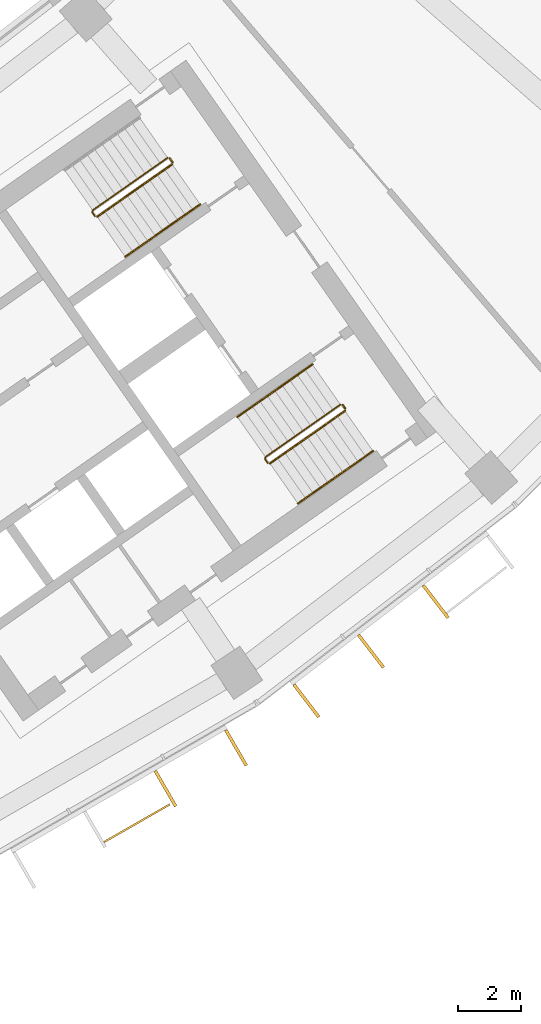
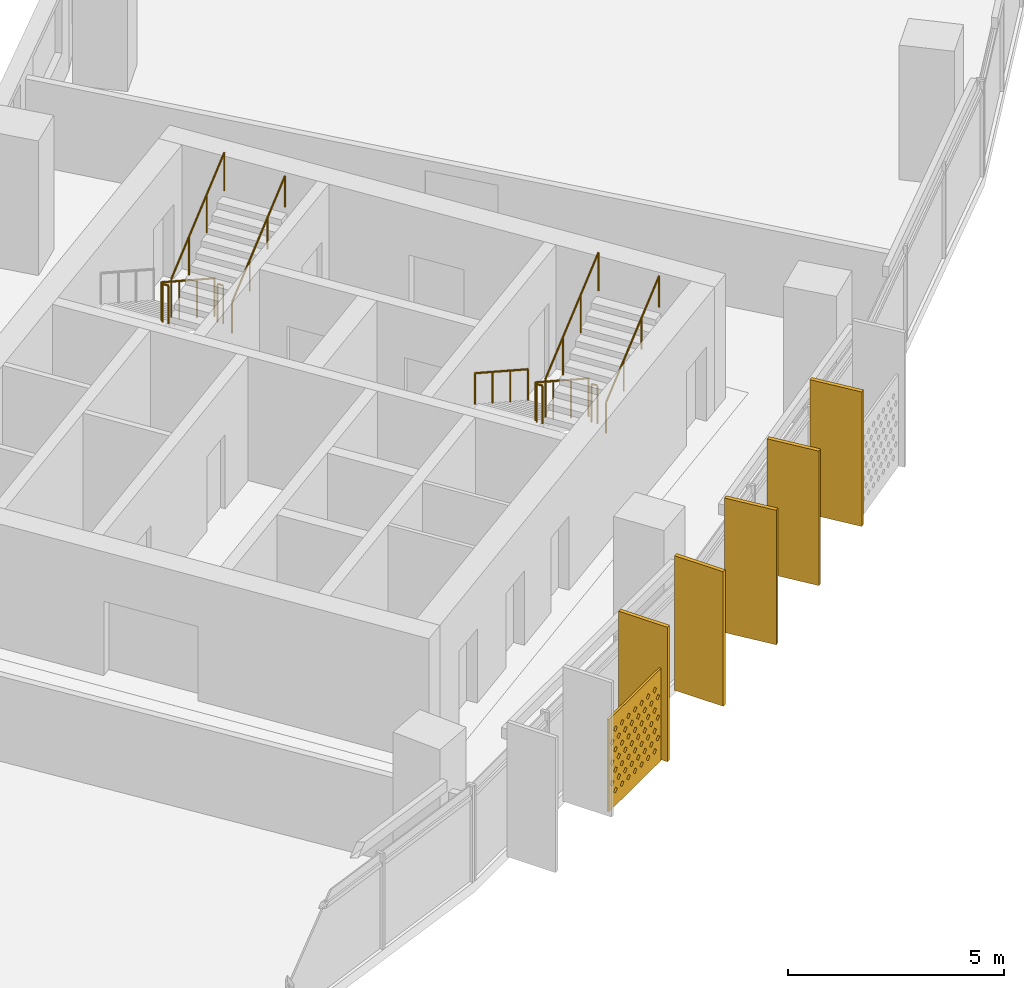
# One storey, part 25 of 26: 9 railings, 6 shading devices.
"""IFC4 building model written with IfcOpenShell, lengths in metres."""

from ifc_helpers import new_model, si_unit, direction, frame, origin, origin_2d, place, context, subcontext, project, spatial, polyline, rectangle, circle, outline, extrude, material, material_profile, profile_set, type_object, element, save


model = new_model("IFC4")

# Units and contexts
model_context = context("Model", 3, precision=1e-05, world=origin(), true_north=direction((0.0, 1.0)))
body_context = subcontext(model_context, "Body", "Model", "MODEL_VIEW")
ifc_project = project(units=[si_unit("LENGTHUNIT", "METRE"), si_unit("AREAUNIT", "SQUARE_METRE"), si_unit("VOLUMEUNIT", "CUBIC_METRE"), si_unit("PLANEANGLEUNIT", "RADIAN"), si_unit("MASSUNIT", "GRAM", prefix="KILO")], contexts=[model_context])

# Site, building, storey
site_placement = place(None, origin())
site = spatial("IfcSite", under=ifc_project, at=site_placement, CompositionType="ELEMENT")
building_placement = place(site_placement, origin())
building = spatial("IfcBuilding", under=site, at=building_placement, Name="Qamariyya Broadcast Tower", CompositionType="ELEMENT")
storey_placement = place(building_placement, frame((0.0, 0.0, 168.300048828125)))
storey = spatial("IfcBuildingStorey", under=building, at=storey_placement, Name="L39", CompositionType="ELEMENT", Elevation=168.300048828125)

# Shading device
ifc_material_1 = material(Name="Perforated glazed terracotta", Category="masonry")
ifc_material_profile_1 = material_profile(ifc_material_1, outline(polyline([(-1.199951171875, -1.300048828125), (1.199951171875, -1.300048828125), (1.199951171875, 1.300048828125), (-1.199951171875, 1.300048828125), (-1.199951171875, -1.300048828125)]), holes=[polyline([(-0.81494140625, -0.86669921875), (-0.89990234375, -0.78173828125), (-0.985107421875, -0.86669921875), (-0.89990234375, -0.95166015625), (-0.81494140625, -0.86669921875)]), polyline([(-0.514892578125, -0.86669921875), (-0.60009765625, -0.78173828125), (-0.68505859375, -0.86669921875), (-0.60009765625, -0.95166015625), (-0.514892578125, -0.86669921875)]), polyline([(-0.215087890625, -0.86669921875), (-0.300048828125, -0.78173828125), (-0.385009765625, -0.86669921875), (-0.300048828125, -0.95166015625), (-0.215087890625, -0.86669921875)]), polyline([(0.0849609375, -0.86669921875), (0.0, -0.78173828125), (-0.0849609375, -0.86669921875), (0.0, -0.95166015625), (0.0849609375, -0.86669921875)]), polyline([(0.385009765625, -0.86669921875), (0.300048828125, -0.78173828125), (0.215087890625, -0.86669921875), (0.300048828125, -0.95166015625), (0.385009765625, -0.86669921875)]), polyline([(0.68505859375, -0.86669921875), (0.60009765625, -0.78173828125), (0.514892578125, -0.86669921875), (0.60009765625, -0.95166015625), (0.68505859375, -0.86669921875)]), polyline([(0.985107421875, -0.86669921875), (0.89990234375, -0.78173828125), (0.81494140625, -0.86669921875), (0.89990234375, -0.95166015625), (0.985107421875, -0.86669921875)]), polyline([(-0.965087890625, -0.577880859375), (-1.050048828125, -0.49267578125), (-1.135009765625, -0.577880859375), (-1.050048828125, -0.662841796875), (-0.965087890625, -0.577880859375)]), polyline([(-0.6650390625, -0.577880859375), (-0.75, -0.49267578125), (-0.8349609375, -0.577880859375), (-0.75, -0.662841796875), (-0.6650390625, -0.577880859375)]), polyline([(-0.364990234375, -0.577880859375), (-0.449951171875, -0.49267578125), (-0.534912109375, -0.577880859375), (-0.449951171875, -0.662841796875), (-0.364990234375, -0.577880859375)]), polyline([(-0.06494140625, -0.577880859375), (-0.14990234375, -0.49267578125), (-0.235107421875, -0.577880859375), (-0.14990234375, -0.662841796875), (-0.06494140625, -0.577880859375)]), polyline([(0.235107421875, -0.577880859375), (0.14990234375, -0.49267578125), (0.06494140625, -0.577880859375), (0.14990234375, -0.662841796875), (0.235107421875, -0.577880859375)]), polyline([(0.534912109375, -0.577880859375), (0.449951171875, -0.49267578125), (0.364990234375, -0.577880859375), (0.449951171875, -0.662841796875), (0.534912109375, -0.577880859375)]), polyline([(0.8349609375, -0.577880859375), (0.75, -0.49267578125), (0.6650390625, -0.577880859375), (0.75, -0.662841796875), (0.8349609375, -0.577880859375)]), polyline([(1.135009765625, -0.577880859375), (1.050048828125, -0.49267578125), (0.965087890625, -0.577880859375), (1.050048828125, -0.662841796875), (1.135009765625, -0.577880859375)]), polyline([(-0.81494140625, -0.288818359375), (-0.89990234375, -0.203857421875), (-0.985107421875, -0.288818359375), (-0.89990234375, -0.373779296875), (-0.81494140625, -0.288818359375)]), polyline([(-0.514892578125, -0.288818359375), (-0.60009765625, -0.203857421875), (-0.68505859375, -0.288818359375), (-0.60009765625, -0.373779296875), (-0.514892578125, -0.288818359375)]), polyline([(-0.215087890625, -0.288818359375), (-0.300048828125, -0.203857421875), (-0.385009765625, -0.288818359375), (-0.300048828125, -0.373779296875), (-0.215087890625, -0.288818359375)]), polyline([(0.0849609375, -0.288818359375), (0.0, -0.203857421875), (-0.0849609375, -0.288818359375), (0.0, -0.373779296875), (0.0849609375, -0.288818359375)]), polyline([(0.385009765625, -0.288818359375), (0.300048828125, -0.203857421875), (0.215087890625, -0.288818359375), (0.300048828125, -0.373779296875), (0.385009765625, -0.288818359375)]), polyline([(0.68505859375, -0.288818359375), (0.60009765625, -0.203857421875), (0.514892578125, -0.288818359375), (0.60009765625, -0.373779296875), (0.68505859375, -0.288818359375)]), polyline([(0.985107421875, -0.288818359375), (0.89990234375, -0.203857421875), (0.81494140625, -0.288818359375), (0.89990234375, -0.373779296875), (0.985107421875, -0.288818359375)]), polyline([(-0.965087890625, 0.0), (-1.050048828125, 0.0849609375), (-1.135009765625, 0.0), (-1.050048828125, -0.0849609375), (-0.965087890625, 0.0)]), polyline([(-0.6650390625, 0.0), (-0.75, 0.0849609375), (-0.8349609375, 0.0), (-0.75, -0.0849609375), (-0.6650390625, 0.0)]), polyline([(-0.364990234375, 0.0), (-0.449951171875, 0.0849609375), (-0.534912109375, 0.0), (-0.449951171875, -0.0849609375), (-0.364990234375, 0.0)]), polyline([(-0.06494140625, 0.0), (-0.14990234375, 0.0849609375), (-0.235107421875, 0.0), (-0.14990234375, -0.0849609375), (-0.06494140625, 0.0)]), polyline([(0.235107421875, 0.0), (0.14990234375, 0.0849609375), (0.06494140625, 0.0), (0.14990234375, -0.0849609375), (0.235107421875, 0.0)]), polyline([(0.534912109375, 0.0), (0.449951171875, 0.0849609375), (0.364990234375, 0.0), (0.449951171875, -0.0849609375), (0.534912109375, 0.0)]), polyline([(0.8349609375, 0.0), (0.75, 0.0849609375), (0.6650390625, 0.0), (0.75, -0.0849609375), (0.8349609375, 0.0)]), polyline([(1.135009765625, 0.0), (1.050048828125, 0.0849609375), (0.965087890625, 0.0), (1.050048828125, -0.0849609375), (1.135009765625, 0.0)]), polyline([(-0.81494140625, 0.288818359375), (-0.89990234375, 0.373779296875), (-0.985107421875, 0.288818359375), (-0.89990234375, 0.203857421875), (-0.81494140625, 0.288818359375)]), polyline([(-0.514892578125, 0.288818359375), (-0.60009765625, 0.373779296875), (-0.68505859375, 0.288818359375), (-0.60009765625, 0.203857421875), (-0.514892578125, 0.288818359375)]), polyline([(-0.215087890625, 0.288818359375), (-0.300048828125, 0.373779296875), (-0.385009765625, 0.288818359375), (-0.300048828125, 0.203857421875), (-0.215087890625, 0.288818359375)]), polyline([(0.0849609375, 0.288818359375), (0.0, 0.373779296875), (-0.0849609375, 0.288818359375), (0.0, 0.203857421875), (0.0849609375, 0.288818359375)]), polyline([(0.385009765625, 0.288818359375), (0.300048828125, 0.373779296875), (0.215087890625, 0.288818359375), (0.300048828125, 0.203857421875), (0.385009765625, 0.288818359375)]), polyline([(0.68505859375, 0.288818359375), (0.60009765625, 0.373779296875), (0.514892578125, 0.288818359375), (0.60009765625, 0.203857421875), (0.68505859375, 0.288818359375)]), polyline([(0.985107421875, 0.288818359375), (0.89990234375, 0.373779296875), (0.81494140625, 0.288818359375), (0.89990234375, 0.203857421875), (0.985107421875, 0.288818359375)]), polyline([(-0.965087890625, 0.577880859375), (-1.050048828125, 0.662841796875), (-1.135009765625, 0.577880859375), (-1.050048828125, 0.49267578125), (-0.965087890625, 0.577880859375)]), polyline([(-0.6650390625, 0.577880859375), (-0.75, 0.662841796875), (-0.8349609375, 0.577880859375), (-0.75, 0.49267578125), (-0.6650390625, 0.577880859375)]), polyline([(-0.364990234375, 0.577880859375), (-0.449951171875, 0.662841796875), (-0.534912109375, 0.577880859375), (-0.449951171875, 0.49267578125), (-0.364990234375, 0.577880859375)]), polyline([(-0.06494140625, 0.577880859375), (-0.14990234375, 0.662841796875), (-0.235107421875, 0.577880859375), (-0.14990234375, 0.49267578125), (-0.06494140625, 0.577880859375)]), polyline([(0.235107421875, 0.577880859375), (0.14990234375, 0.662841796875), (0.06494140625, 0.577880859375), (0.14990234375, 0.49267578125), (0.235107421875, 0.577880859375)]), polyline([(0.534912109375, 0.577880859375), (0.449951171875, 0.662841796875), (0.364990234375, 0.577880859375), (0.449951171875, 0.49267578125), (0.534912109375, 0.577880859375)]), polyline([(0.8349609375, 0.577880859375), (0.75, 0.662841796875), (0.6650390625, 0.577880859375), (0.75, 0.49267578125), (0.8349609375, 0.577880859375)]), polyline([(1.135009765625, 0.577880859375), (1.050048828125, 0.662841796875), (0.965087890625, 0.577880859375), (1.050048828125, 0.49267578125), (1.135009765625, 0.577880859375)]), polyline([(-0.81494140625, 0.86669921875), (-0.89990234375, 0.95166015625), (-0.985107421875, 0.86669921875), (-0.89990234375, 0.78173828125), (-0.81494140625, 0.86669921875)]), polyline([(-0.514892578125, 0.86669921875), (-0.60009765625, 0.95166015625), (-0.68505859375, 0.86669921875), (-0.60009765625, 0.78173828125), (-0.514892578125, 0.86669921875)]), polyline([(-0.215087890625, 0.86669921875), (-0.300048828125, 0.95166015625), (-0.385009765625, 0.86669921875), (-0.300048828125, 0.78173828125), (-0.215087890625, 0.86669921875)]), polyline([(0.0849609375, 0.86669921875), (0.0, 0.95166015625), (-0.0849609375, 0.86669921875), (0.0, 0.78173828125), (0.0849609375, 0.86669921875)]), polyline([(0.385009765625, 0.86669921875), (0.300048828125, 0.95166015625), (0.215087890625, 0.86669921875), (0.300048828125, 0.78173828125), (0.385009765625, 0.86669921875)]), polyline([(0.68505859375, 0.86669921875), (0.60009765625, 0.95166015625), (0.514892578125, 0.86669921875), (0.60009765625, 0.78173828125), (0.68505859375, 0.86669921875)]), polyline([(0.985107421875, 0.86669921875), (0.89990234375, 0.95166015625), (0.81494140625, 0.86669921875), (0.89990234375, 0.78173828125), (0.985107421875, 0.86669921875)])]))
ifc_profile_set_1 = profile_set([ifc_material_profile_1], Name="Perforated glazed terracotta")
shading_device_type_1 = type_object("IfcShadingDeviceType", Name="Perforated terracotta screen 2400 x 2600", PredefinedType="USERDEFINED", material=ifc_profile_set_1)
shading_device_placement = place(storey_placement, frame((40.014404296875, -69.39013671875, 1.349853515625), z_axis=(0.497016140981, -0.86774129532, 0.0), x_axis=(0.86774129532, 0.497016140981, 0.0)))
element("IfcShadingDevice", 1, at=shading_device_placement, inside=storey, type_object=shading_device_type_1, Name="e-scr-L39-11-1", ObjectType="SCREEN", PredefinedType="USERDEFINED", context=body_context, shape_type="SweptSolid", body=[
    extrude(outline(polyline([(-1.199951171875, -1.300048828125), (1.199951171875, -1.300048828125), (1.199951171875, 1.300048828125), (-1.199951171875, 1.300048828125), (-1.199951171875, -1.300048828125)]), holes=[polyline([(-0.81494140625, -0.86669921875), (-0.89990234375, -0.78173828125), (-0.985107421875, -0.86669921875), (-0.89990234375, -0.95166015625), (-0.81494140625, -0.86669921875)]), polyline([(-0.514892578125, -0.86669921875), (-0.60009765625, -0.78173828125), (-0.68505859375, -0.86669921875), (-0.60009765625, -0.95166015625), (-0.514892578125, -0.86669921875)]), polyline([(-0.215087890625, -0.86669921875), (-0.300048828125, -0.78173828125), (-0.385009765625, -0.86669921875), (-0.300048828125, -0.95166015625), (-0.215087890625, -0.86669921875)]), polyline([(0.0849609375, -0.86669921875), (0.0, -0.78173828125), (-0.0849609375, -0.86669921875), (0.0, -0.95166015625), (0.0849609375, -0.86669921875)]), polyline([(0.385009765625, -0.86669921875), (0.300048828125, -0.78173828125), (0.215087890625, -0.86669921875), (0.300048828125, -0.95166015625), (0.385009765625, -0.86669921875)]), polyline([(0.68505859375, -0.86669921875), (0.60009765625, -0.78173828125), (0.514892578125, -0.86669921875), (0.60009765625, -0.95166015625), (0.68505859375, -0.86669921875)]), polyline([(0.985107421875, -0.86669921875), (0.89990234375, -0.78173828125), (0.81494140625, -0.86669921875), (0.89990234375, -0.95166015625), (0.985107421875, -0.86669921875)]), polyline([(-0.965087890625, -0.577880859375), (-1.050048828125, -0.49267578125), (-1.135009765625, -0.577880859375), (-1.050048828125, -0.662841796875), (-0.965087890625, -0.577880859375)]), polyline([(-0.6650390625, -0.577880859375), (-0.75, -0.49267578125), (-0.8349609375, -0.577880859375), (-0.75, -0.662841796875), (-0.6650390625, -0.577880859375)]), polyline([(-0.364990234375, -0.577880859375), (-0.449951171875, -0.49267578125), (-0.534912109375, -0.577880859375), (-0.449951171875, -0.662841796875), (-0.364990234375, -0.577880859375)]), polyline([(-0.06494140625, -0.577880859375), (-0.14990234375, -0.49267578125), (-0.235107421875, -0.577880859375), (-0.14990234375, -0.662841796875), (-0.06494140625, -0.577880859375)]), polyline([(0.235107421875, -0.577880859375), (0.14990234375, -0.49267578125), (0.06494140625, -0.577880859375), (0.14990234375, -0.662841796875), (0.235107421875, -0.577880859375)]), polyline([(0.534912109375, -0.577880859375), (0.449951171875, -0.49267578125), (0.364990234375, -0.577880859375), (0.449951171875, -0.662841796875), (0.534912109375, -0.577880859375)]), polyline([(0.8349609375, -0.577880859375), (0.75, -0.49267578125), (0.6650390625, -0.577880859375), (0.75, -0.662841796875), (0.8349609375, -0.577880859375)]), polyline([(1.135009765625, -0.577880859375), (1.050048828125, -0.49267578125), (0.965087890625, -0.577880859375), (1.050048828125, -0.662841796875), (1.135009765625, -0.577880859375)]), polyline([(-0.81494140625, -0.288818359375), (-0.89990234375, -0.203857421875), (-0.985107421875, -0.288818359375), (-0.89990234375, -0.373779296875), (-0.81494140625, -0.288818359375)]), polyline([(-0.514892578125, -0.288818359375), (-0.60009765625, -0.203857421875), (-0.68505859375, -0.288818359375), (-0.60009765625, -0.373779296875), (-0.514892578125, -0.288818359375)]), polyline([(-0.215087890625, -0.288818359375), (-0.300048828125, -0.203857421875), (-0.385009765625, -0.288818359375), (-0.300048828125, -0.373779296875), (-0.215087890625, -0.288818359375)]), polyline([(0.0849609375, -0.288818359375), (0.0, -0.203857421875), (-0.0849609375, -0.288818359375), (0.0, -0.373779296875), (0.0849609375, -0.288818359375)]), polyline([(0.385009765625, -0.288818359375), (0.300048828125, -0.203857421875), (0.215087890625, -0.288818359375), (0.300048828125, -0.373779296875), (0.385009765625, -0.288818359375)]), polyline([(0.68505859375, -0.288818359375), (0.60009765625, -0.203857421875), (0.514892578125, -0.288818359375), (0.60009765625, -0.373779296875), (0.68505859375, -0.288818359375)]), polyline([(0.985107421875, -0.288818359375), (0.89990234375, -0.203857421875), (0.81494140625, -0.288818359375), (0.89990234375, -0.373779296875), (0.985107421875, -0.288818359375)]), polyline([(-0.965087890625, 0.0), (-1.050048828125, 0.0849609375), (-1.135009765625, 0.0), (-1.050048828125, -0.0849609375), (-0.965087890625, 0.0)]), polyline([(-0.6650390625, 0.0), (-0.75, 0.0849609375), (-0.8349609375, 0.0), (-0.75, -0.0849609375), (-0.6650390625, 0.0)]), polyline([(-0.364990234375, 0.0), (-0.449951171875, 0.0849609375), (-0.534912109375, 0.0), (-0.449951171875, -0.0849609375), (-0.364990234375, 0.0)]), polyline([(-0.06494140625, 0.0), (-0.14990234375, 0.0849609375), (-0.235107421875, 0.0), (-0.14990234375, -0.0849609375), (-0.06494140625, 0.0)]), polyline([(0.235107421875, 0.0), (0.14990234375, 0.0849609375), (0.06494140625, 0.0), (0.14990234375, -0.0849609375), (0.235107421875, 0.0)]), polyline([(0.534912109375, 0.0), (0.449951171875, 0.0849609375), (0.364990234375, 0.0), (0.449951171875, -0.0849609375), (0.534912109375, 0.0)]), polyline([(0.8349609375, 0.0), (0.75, 0.0849609375), (0.6650390625, 0.0), (0.75, -0.0849609375), (0.8349609375, 0.0)]), polyline([(1.135009765625, 0.0), (1.050048828125, 0.0849609375), (0.965087890625, 0.0), (1.050048828125, -0.0849609375), (1.135009765625, 0.0)]), polyline([(-0.81494140625, 0.288818359375), (-0.89990234375, 0.373779296875), (-0.985107421875, 0.288818359375), (-0.89990234375, 0.203857421875), (-0.81494140625, 0.288818359375)]), polyline([(-0.514892578125, 0.288818359375), (-0.60009765625, 0.373779296875), (-0.68505859375, 0.288818359375), (-0.60009765625, 0.203857421875), (-0.514892578125, 0.288818359375)]), polyline([(-0.215087890625, 0.288818359375), (-0.300048828125, 0.373779296875), (-0.385009765625, 0.288818359375), (-0.300048828125, 0.203857421875), (-0.215087890625, 0.288818359375)]), polyline([(0.0849609375, 0.288818359375), (0.0, 0.373779296875), (-0.0849609375, 0.288818359375), (0.0, 0.203857421875), (0.0849609375, 0.288818359375)]), polyline([(0.385009765625, 0.288818359375), (0.300048828125, 0.373779296875), (0.215087890625, 0.288818359375), (0.300048828125, 0.203857421875), (0.385009765625, 0.288818359375)]), polyline([(0.68505859375, 0.288818359375), (0.60009765625, 0.373779296875), (0.514892578125, 0.288818359375), (0.60009765625, 0.203857421875), (0.68505859375, 0.288818359375)]), polyline([(0.985107421875, 0.288818359375), (0.89990234375, 0.373779296875), (0.81494140625, 0.288818359375), (0.89990234375, 0.203857421875), (0.985107421875, 0.288818359375)]), polyline([(-0.965087890625, 0.577880859375), (-1.050048828125, 0.662841796875), (-1.135009765625, 0.577880859375), (-1.050048828125, 0.49267578125), (-0.965087890625, 0.577880859375)]), polyline([(-0.6650390625, 0.577880859375), (-0.75, 0.662841796875), (-0.8349609375, 0.577880859375), (-0.75, 0.49267578125), (-0.6650390625, 0.577880859375)]), polyline([(-0.364990234375, 0.577880859375), (-0.449951171875, 0.662841796875), (-0.534912109375, 0.577880859375), (-0.449951171875, 0.49267578125), (-0.364990234375, 0.577880859375)]), polyline([(-0.06494140625, 0.577880859375), (-0.14990234375, 0.662841796875), (-0.235107421875, 0.577880859375), (-0.14990234375, 0.49267578125), (-0.06494140625, 0.577880859375)]), polyline([(0.235107421875, 0.577880859375), (0.14990234375, 0.662841796875), (0.06494140625, 0.577880859375), (0.14990234375, 0.49267578125), (0.235107421875, 0.577880859375)]), polyline([(0.534912109375, 0.577880859375), (0.449951171875, 0.662841796875), (0.364990234375, 0.577880859375), (0.449951171875, 0.49267578125), (0.534912109375, 0.577880859375)]), polyline([(0.8349609375, 0.577880859375), (0.75, 0.662841796875), (0.6650390625, 0.577880859375), (0.75, 0.49267578125), (0.8349609375, 0.577880859375)]), polyline([(1.135009765625, 0.577880859375), (1.050048828125, 0.662841796875), (0.965087890625, 0.577880859375), (1.050048828125, 0.49267578125), (1.135009765625, 0.577880859375)]), polyline([(-0.81494140625, 0.86669921875), (-0.89990234375, 0.95166015625), (-0.985107421875, 0.86669921875), (-0.89990234375, 0.78173828125), (-0.81494140625, 0.86669921875)]), polyline([(-0.514892578125, 0.86669921875), (-0.60009765625, 0.95166015625), (-0.68505859375, 0.86669921875), (-0.60009765625, 0.78173828125), (-0.514892578125, 0.86669921875)]), polyline([(-0.215087890625, 0.86669921875), (-0.300048828125, 0.95166015625), (-0.385009765625, 0.86669921875), (-0.300048828125, 0.78173828125), (-0.215087890625, 0.86669921875)]), polyline([(0.0849609375, 0.86669921875), (0.0, 0.95166015625), (-0.0849609375, 0.86669921875), (0.0, 0.78173828125), (0.0849609375, 0.86669921875)]), polyline([(0.385009765625, 0.86669921875), (0.300048828125, 0.95166015625), (0.215087890625, 0.86669921875), (0.300048828125, 0.78173828125), (0.385009765625, 0.86669921875)]), polyline([(0.68505859375, 0.86669921875), (0.60009765625, 0.95166015625), (0.514892578125, 0.86669921875), (0.60009765625, 0.78173828125), (0.68505859375, 0.86669921875)]), polyline([(0.985107421875, 0.86669921875), (0.89990234375, 0.95166015625), (0.81494140625, 0.86669921875), (0.89990234375, 0.78173828125), (0.985107421875, 0.86669921875)])]), origin(), (0.0, 0.0, 1.0), 0.059814453125),
])

# Railings
ifc_material_2 = material(Name="Painted steel", Category="steel")
railing_type_1 = type_object("IfcRailingType", Name="Stair guard", PredefinedType="GUARDRAIL", material=ifc_material_2)
railing_1_placement = place(storey_placement, frame((41.003173828125, -48.320068359375, 0.172607421875)))
element("IfcRailing", 2, at=railing_1_placement, inside=storey, type_object=railing_type_1, Name="L39 ST-E2 stair guard 1", PredefinedType="GUARDRAIL", context=body_context, shape_type="SweptSolid", body=[
    extrude(circle(Radius=0.02392578125, at=origin_2d()), frame((0.0, 0.0, 1.076171875), z_axis=(-0.703770094002, -0.492783725636, 0.511734163933), x_axis=(0.573575343427, -0.819152809562, 0.0)), (0.0, 0.0, 1.0), 3.37548828125),
    extrude(circle(Radius=0.02392578125, at=origin_2d()), frame((-2.37548828125, -1.663330078125, 2.80322265625), z_axis=(-0.172799478008, -0.984957024646, 0.0), x_axis=(0.984957024646, -0.172799478008, 0.0)), (0.0, 0.0, 1.0), 0.070556640625),
    extrude(circle(Radius=0.02392578125, at=origin_2d()), frame((-2.3876953125, -1.73291015625, 2.80322265625), z_axis=(0.572588637393, -0.819842821722, 0.0), x_axis=(0.819842821722, 0.572588637393, 0.0)), (0.0, 0.0, 1.0), 0.150146484375),
    extrude(circle(Radius=0.02099609375, at=origin_2d()), origin(), (0.0, 0.0, 1.0), 1.052001953125),
    extrude(circle(Radius=0.02099609375, at=origin_2d()), frame((-0.791748046875, -0.554443359375, 0.57568359375)), (0.0, 0.0, 1.0), 1.052001953125),
    extrude(circle(Radius=0.02099609375, at=origin_2d()), frame((-1.583740234375, -1.10888671875, 1.151611328125)), (0.0, 0.0, 1.0), 1.052001953125),
    extrude(circle(Radius=0.02099609375, at=origin_2d()), frame((-2.37548828125, -1.663330078125, 1.727294921875)), (0.0, 0.0, 1.0), 1.052001953125),
    extrude(circle(Radius=0.02099609375, at=origin_2d()), frame((-2.3876953125, -1.73291015625, 1.727294921875)), (0.0, 0.0, 1.0), 1.052001953125),
    extrude(circle(Radius=0.02099609375, at=origin_2d()), frame((-2.3017578125, -1.85595703125, 1.727294921875)), (0.0, 0.0, 1.0), 1.052001953125),
])
railing_2_placement = place(storey_placement, frame((38.771240234375, -50.188232421875, 2.07275390625)))
element("IfcRailing", 3, at=railing_2_placement, inside=storey, type_object=railing_type_1, Name="L39 ST-E2 stair guard 2", PredefinedType="GUARDRAIL", context=body_context, shape_type="SweptSolid", body=[
    extrude(circle(Radius=0.02392578125, at=origin_2d()), frame((0.0, 0.0, 1.076171875), z_axis=(0.703770094002, 0.492783725636, 0.511734163933), x_axis=(-0.573575343427, 0.819152809562, 0.0)), (0.0, 0.0, 1.0), 3.37548828125),
    extrude(circle(Radius=0.02099609375, at=origin_2d()), origin(), (0.0, 0.0, 1.0), 1.052001953125),
    extrude(circle(Radius=0.02099609375, at=origin_2d()), frame((0.791748046875, 0.554443359375, 0.57568359375)), (0.0, 0.0, 1.0), 1.052001953125),
    extrude(circle(Radius=0.02099609375, at=origin_2d()), frame((1.583740234375, 1.10888671875, 1.151611328125)), (0.0, 0.0, 1.0), 1.052001953125),
    extrude(circle(Radius=0.02099609375, at=origin_2d()), frame((2.37548828125, 1.663330078125, 1.727294921875)), (0.0, 0.0, 1.0), 1.052001953125),
])
railing_3_placement = place(storey_placement, frame((41.072998046875, -48.332275390625, 0.0)))
element("IfcRailing", 4, at=railing_3_placement, inside=storey, type_object=railing_type_1, Name="L39 ST-E2 stair guard 3", PredefinedType="GUARDRAIL", context=body_context, shape_type="SweptSolid", body=[
    extrude(circle(Radius=0.02392578125, at=origin_2d()), frame((0.0, 0.0, 1.076171875), z_axis=(0.572588637393, -0.819842821722, 0.0), x_axis=(0.819842821722, 0.572588637393, 0.0)), (0.0, 0.0, 1.0), 0.150146484375),
    extrude(circle(Radius=0.02099609375, at=origin_2d()), origin(), (0.0, 0.0, 1.0), 1.052001953125),
    extrude(circle(Radius=0.02099609375, at=origin_2d()), frame((0.0859375, -0.123046875, 0.0)), (0.0, 0.0, 1.0), 1.052001953125),
])
railing_4_placement = place(storey_placement, frame((46.48095703125, -56.14306640625, 0.172607421875)))
element("IfcRailing", 5, at=railing_4_placement, inside=storey, type_object=railing_type_1, Name="L39 ST-E1 stair guard 1", PredefinedType="GUARDRAIL", context=body_context, shape_type="SweptSolid", body=[
    extrude(circle(Radius=0.02392578125, at=origin_2d()), frame((0.0, 0.0, 1.076171875), z_axis=(-0.703770094002, -0.492783725636, 0.511734163933), x_axis=(0.573575343427, -0.819152809562, 0.0)), (0.0, 0.0, 1.0), 3.37548828125),
    extrude(circle(Radius=0.02392578125, at=origin_2d()), frame((-2.37548828125, -1.663330078125, 2.80322265625), z_axis=(-0.176149252506, -0.984363469884, 0.0), x_axis=(0.984363469884, -0.176149252506, 0.0)), (0.0, 0.0, 1.0), 0.07080078125),
    extrude(circle(Radius=0.02392578125, at=origin_2d()), frame((-2.387939453125, -1.73291015625, 2.80322265625), z_axis=(0.574444878118, -0.818543268254, 0.0), x_axis=(0.818543268254, 0.574444878118, 0.0)), (0.0, 0.0, 1.0), 0.150146484375),
    extrude(circle(Radius=0.02099609375, at=origin_2d()), origin(), (0.0, 0.0, 1.0), 1.052001953125),
    extrude(circle(Radius=0.02099609375, at=origin_2d()), frame((-0.791748046875, -0.554443359375, 0.57568359375)), (0.0, 0.0, 1.0), 1.052001953125),
    extrude(circle(Radius=0.02099609375, at=origin_2d()), frame((-1.583740234375, -1.10888671875, 1.151611328125)), (0.0, 0.0, 1.0), 1.052001953125),
    extrude(circle(Radius=0.02099609375, at=origin_2d()), frame((-2.37548828125, -1.663330078125, 1.727294921875)), (0.0, 0.0, 1.0), 1.052001953125),
    extrude(circle(Radius=0.02099609375, at=origin_2d()), frame((-2.387939453125, -1.73291015625, 1.727294921875)), (0.0, 0.0, 1.0), 1.052001953125),
    extrude(circle(Radius=0.02099609375, at=origin_2d()), frame((-2.3017578125, -1.855712890625, 1.727294921875)), (0.0, 0.0, 1.0), 1.052001953125),
])
railing_5_placement = place(storey_placement, frame((44.248779296875, -58.01123046875, 2.07275390625)))
element("IfcRailing", 6, at=railing_5_placement, inside=storey, type_object=railing_type_1, Name="L39 ST-E1 stair guard 2", PredefinedType="GUARDRAIL", context=body_context, shape_type="SweptSolid", body=[
    extrude(circle(Radius=0.02392578125, at=origin_2d()), frame((0.0, 0.0, 1.076171875), z_axis=(0.703745009021, 0.492838488332, 0.511715923826), x_axis=(-0.573631830683, 0.819113253969, 0.0)), (0.0, 0.0, 1.0), 3.37548828125),
    extrude(circle(Radius=0.02099609375, at=origin_2d()), origin(), (0.0, 0.0, 1.0), 1.052001953125),
    extrude(circle(Radius=0.02099609375, at=origin_2d()), frame((0.791748046875, 0.554443359375, 0.57568359375)), (0.0, 0.0, 1.0), 1.052001953125),
    extrude(circle(Radius=0.02099609375, at=origin_2d()), frame((1.583740234375, 1.109130859375, 1.151611328125)), (0.0, 0.0, 1.0), 1.052001953125),
    extrude(circle(Radius=0.02099609375, at=origin_2d()), frame((2.37548828125, 1.66357421875, 1.727294921875)), (0.0, 0.0, 1.0), 1.052001953125),
])
railing_6_placement = place(storey_placement, frame((46.550537109375, -56.1552734375, 0.0)))
element("IfcRailing", 7, at=railing_6_placement, inside=storey, type_object=railing_type_1, Name="L39 ST-E1 stair guard 3", PredefinedType="GUARDRAIL", context=body_context, shape_type="SweptSolid", body=[
    extrude(circle(Radius=0.02392578125, at=origin_2d()), frame((0.0, 0.0, 1.076171875), z_axis=(0.574444878118, -0.818543268254, 0.0), x_axis=(0.818543268254, 0.574444878118, 0.0)), (0.0, 0.0, 1.0), 0.150146484375),
    extrude(circle(Radius=0.02099609375, at=origin_2d()), origin(), (0.0, 0.0, 1.0), 1.052001953125),
    extrude(circle(Radius=0.02099609375, at=origin_2d()), frame((0.086181640625, -0.122802734375, 0.0)), (0.0, 0.0, 1.0), 1.052001953125),
])
ifc_material_3 = material(Name="Stainless steel", Category="steel")
railing_type_2 = type_object("IfcRailingType", Name="Stair handrail", PredefinedType="HANDRAIL", material=ifc_material_3)
railing_7_placement = place(storey_placement, frame((39.66015625, -51.4580078125, 2.07275390625)))
element("IfcRailing", 8, at=railing_7_placement, inside=storey, type_object=railing_type_2, Name="L39 ST-E2 stair handrail 2", PredefinedType="HANDRAIL", context=body_context, shape_type="SweptSolid", body=[
    extrude(circle(Radius=0.02392578125, at=origin_2d()), frame((0.0, 0.0, 0.8759765625), z_axis=(0.703745009021, 0.492838488332, 0.511715923826), x_axis=(-0.573631830683, 0.819113253969, 0.0)), (0.0, 0.0, 1.0), 3.37548828125),
    extrude(circle(Radius=0.02099609375, at=origin_2d()), origin(), (0.0, 0.0, 1.0), 0.851806640625),
    extrude(circle(Radius=0.02099609375, at=origin_2d()), frame((0.791748046875, 0.554443359375, 0.57568359375)), (0.0, 0.0, 1.0), 0.851806640625),
    extrude(circle(Radius=0.02099609375, at=origin_2d()), frame((1.583740234375, 1.109130859375, 1.151611328125)), (0.0, 0.0, 1.0), 0.851806640625),
    extrude(circle(Radius=0.02099609375, at=origin_2d()), frame((2.37548828125, 1.66357421875, 1.727294921875)), (0.0, 0.0, 1.0), 0.851806640625),
])
railing_8_placement = place(storey_placement, frame((45.591796875, -54.873291015625, 0.172607421875)))
element("IfcRailing", 9, at=railing_8_placement, inside=storey, type_object=railing_type_2, Name="L39 ST-E1 stair handrail 1", PredefinedType="HANDRAIL", context=body_context, shape_type="SweptSolid", body=[
    extrude(circle(Radius=0.02392578125, at=origin_2d()), frame((0.0, 0.0, 0.8759765625), z_axis=(-0.703770094002, -0.492783725636, 0.511734163933), x_axis=(0.573575343427, -0.819152809562, 0.0)), (0.0, 0.0, 1.0), 3.37548828125),
    extrude(circle(Radius=0.02099609375, at=origin_2d()), origin(), (0.0, 0.0, 1.0), 0.851806640625),
    extrude(circle(Radius=0.02099609375, at=origin_2d()), frame((-0.791748046875, -0.554443359375, 0.57568359375)), (0.0, 0.0, 1.0), 0.851806640625),
    extrude(circle(Radius=0.02099609375, at=origin_2d()), frame((-1.583740234375, -1.10888671875, 1.151611328125)), (0.0, 0.0, 1.0), 0.851806640625),
    extrude(circle(Radius=0.02099609375, at=origin_2d()), frame((-2.37548828125, -1.663330078125, 1.727294921875)), (0.0, 0.0, 1.0), 0.851806640625),
])
railing_9_placement = place(storey_placement, frame((45.137939453125, -59.28076171875, 2.07275390625)))
element("IfcRailing", 10, at=railing_9_placement, inside=storey, type_object=railing_type_2, Name="L39 ST-E1 stair handrail 2", PredefinedType="HANDRAIL", context=body_context, shape_type="SweptSolid", body=[
    extrude(circle(Radius=0.02392578125, at=origin_2d()), frame((0.0, 0.0, 0.8759765625), z_axis=(0.703770094002, 0.492783725636, 0.511734163933), x_axis=(-0.573575343427, 0.819152809562, 0.0)), (0.0, 0.0, 1.0), 3.37548828125),
    extrude(circle(Radius=0.02099609375, at=origin_2d()), origin(), (0.0, 0.0, 1.0), 0.851806640625),
    extrude(circle(Radius=0.02099609375, at=origin_2d()), frame((0.791748046875, 0.554443359375, 0.57568359375)), (0.0, 0.0, 1.0), 0.851806640625),
    extrude(circle(Radius=0.02099609375, at=origin_2d()), frame((1.583740234375, 1.10888671875, 1.151611328125)), (0.0, 0.0, 1.0), 0.851806640625),
    extrude(circle(Radius=0.02099609375, at=origin_2d()), frame((2.37548828125, 1.663330078125, 1.727294921875)), (0.0, 0.0, 1.0), 0.851806640625),
])

# Shading devices
ifc_material_4 = material(Name="Glazed terracotta", Category="masonry")
ifc_material_profile_2 = material_profile(ifc_material_4, rectangle(XDim=1.300048828125, YDim=0.10009765625, at=origin_2d()))
ifc_profile_set_2 = profile_set([ifc_material_profile_2], Name="Glazed terracotta")
shading_device_type_2 = type_object("IfcShadingDeviceType", Name="Terracotta fin 100 x 1300", PredefinedType="USERDEFINED", material=ifc_profile_set_2)
for number, where, z_axis, x_axis, name in (
    (11, (40.93408203125, -68.31640625, 0.0), (0.0, 0.0, 1.0), (0.5, -0.866025403784, 0.0), "e-fin-L39-11-2"),
    (12, (43.17138671875, -67.024658203125, 0.0), (0.0, 0.0, 1.0), (0.5, -0.866025403784, 0.0), "e-fin-L39-11-3"),
    (13, (45.40185546875, -65.534423828125, 0.0), (0.0, 0.0, 1.0), (0.608761429009, -0.793353340291, 0.0), "e-fin-L39-12-0"),
    (14, (47.451416015625, -63.961669921875, 0.0), (0.0, 0.0, 1.0), (0.608761429009, -0.793353340291, 0.0), "e-fin-L39-12-1"),
    (15, (49.5009765625, -62.38916015625, 0.0), (0.0, 0.0, 1.0), (0.608761429009, -0.793353340291, 0.0), "e-fin-L39-12-2"),
):
    element("IfcShadingDevice", number, at=place(storey_placement, frame(where, z_axis=z_axis, x_axis=x_axis)), inside=storey, type_object=shading_device_type_2, Name=name, ObjectType="FIN", PredefinedType="USERDEFINED", context=body_context, shape_type="SweptSolid", body=[
        extrude(rectangle(XDim=1.300048828125, YDim=0.10009765625, at=origin_2d()), origin(), (0.0, 0.0, 1.0), 3.800048828125),
    ])

save(model, "model.ifc")
